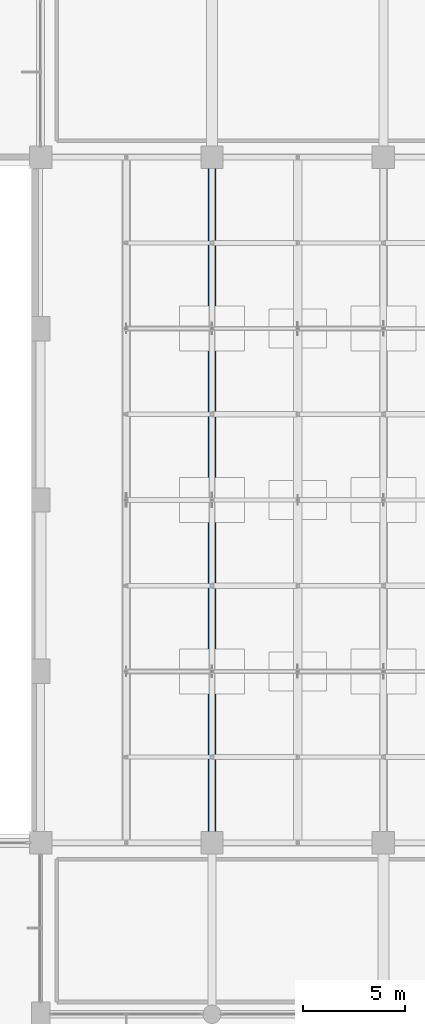
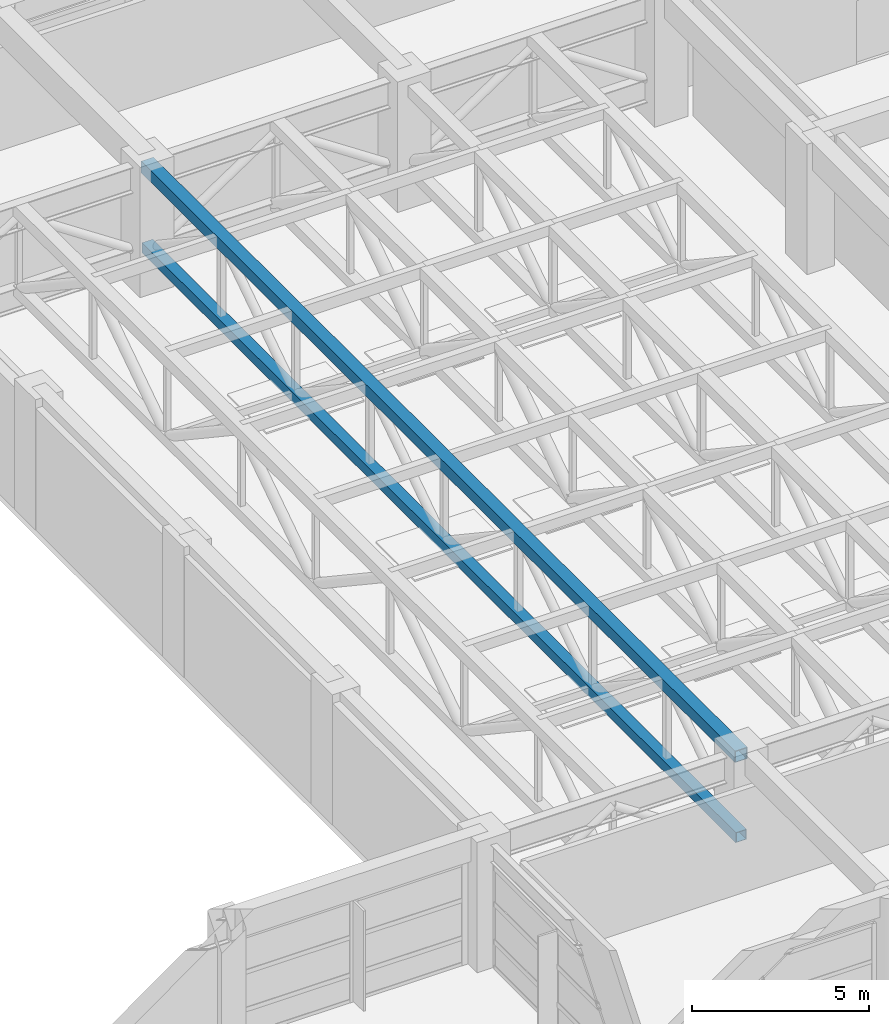
# One storey, part 14 of 47: 2 beams.
"""IFC4 building model written with IfcOpenShell, lengths in metres."""

from ifc_helpers import new_model, si_unit, direction, frame, origin, origin_2d, place, context, subcontext, project, spatial, hollow_rectangle, extrude, material, material_profile, profile_set, type_object, element, save


model = new_model("IFC4")

# Units and contexts
model_context = context("Model", 3, precision=1e-05, world=origin(), true_north=direction((0.0, 1.0)))
body_context = subcontext(model_context, "Body", "Model", "MODEL_VIEW")
ifc_project = project(units=[si_unit("LENGTHUNIT", "METRE"), si_unit("AREAUNIT", "SQUARE_METRE"), si_unit("VOLUMEUNIT", "CUBIC_METRE"), si_unit("PLANEANGLEUNIT", "RADIAN"), si_unit("MASSUNIT", "GRAM", prefix="KILO")], contexts=[model_context])

# Site, building, storey
site_placement = place(None, origin())
site = spatial("IfcSite", under=ifc_project, at=site_placement, CompositionType="ELEMENT")
building_placement = place(site_placement, origin())
building = spatial("IfcBuilding", under=site, at=building_placement, Name="Xuanlan Plaza Opera House", CompositionType="ELEMENT")
storey_placement = place(building_placement, frame((0.0, 0.0, 23.39990234375)))
storey = spatial("IfcBuildingStorey", under=building, at=storey_placement, Name="L05", CompositionType="ELEMENT", Elevation=23.39990234375)

# Beams
ifc_material = material(Name="Steel Q390B", Category="steel")
ifc_material_profile_1 = material_profile(ifc_material, hollow_rectangle(XDim=0.39990234375, YDim=0.39990234375, WallThickness=0.02001953125, at=origin_2d()), Name="SHS 400x400x20")
ifc_profile_set_1 = profile_set([ifc_material_profile_1], Name="Steel Q390B")
beam_type_1 = type_object("IfcBeamType", Name="STR-BM-TCH-03", PredefinedType="BEAM", material=ifc_profile_set_1)
beam_1_placement = place(storey_placement, frame((75.60009765625, 42.0, 4.05908203125), z_axis=(0.0, 1.0, 0.0), x_axis=(-1.0, 0.0, 0.0)))
element("IfcBeam", 1, at=beam_1_placement, inside=storey, type_object=beam_type_1, Name="Auditorium Roof Truss AUD-02 Top Chord Girder", PredefinedType="BEAM", context=body_context, shape_type="SweptSolid", body=[
    extrude(hollow_rectangle(XDim=0.39990234375, YDim=0.39990234375, WallThickness=0.02001953125, at=origin_2d()), origin(), (0.0, 0.0, 1.0), 33.60009765625),
])
ifc_material_profile_2 = material_profile(ifc_material, hollow_rectangle(XDim=0.35009765625, YDim=0.35009765625, WallThickness=0.01611328125, at=origin_2d()), Name="SHS 350x350x16")
ifc_profile_set_2 = profile_set([ifc_material_profile_2], Name="Steel Q390B")
beam_type_2 = type_object("IfcBeamType", Name="STR-BM-TCH-04", PredefinedType="BEAM", material=ifc_profile_set_2)
beam_2_placement = place(storey_placement, frame((75.60009765625, 42.0, 1.259033203125), z_axis=(0.0, 1.0, 0.0), x_axis=(-1.0, 0.0, 0.0)))
element("IfcBeam", 2, at=beam_2_placement, inside=storey, type_object=beam_type_2, Name="Auditorium Roof Truss AUD-02 Bottom Chord Girder", PredefinedType="BEAM", context=body_context, shape_type="SweptSolid", body=[
    extrude(hollow_rectangle(XDim=0.35009765625, YDim=0.35009765625, WallThickness=0.01611328125, at=origin_2d()), origin(), (0.0, 0.0, 1.0), 33.60009765625),
])

save(model, "model.ifc")
